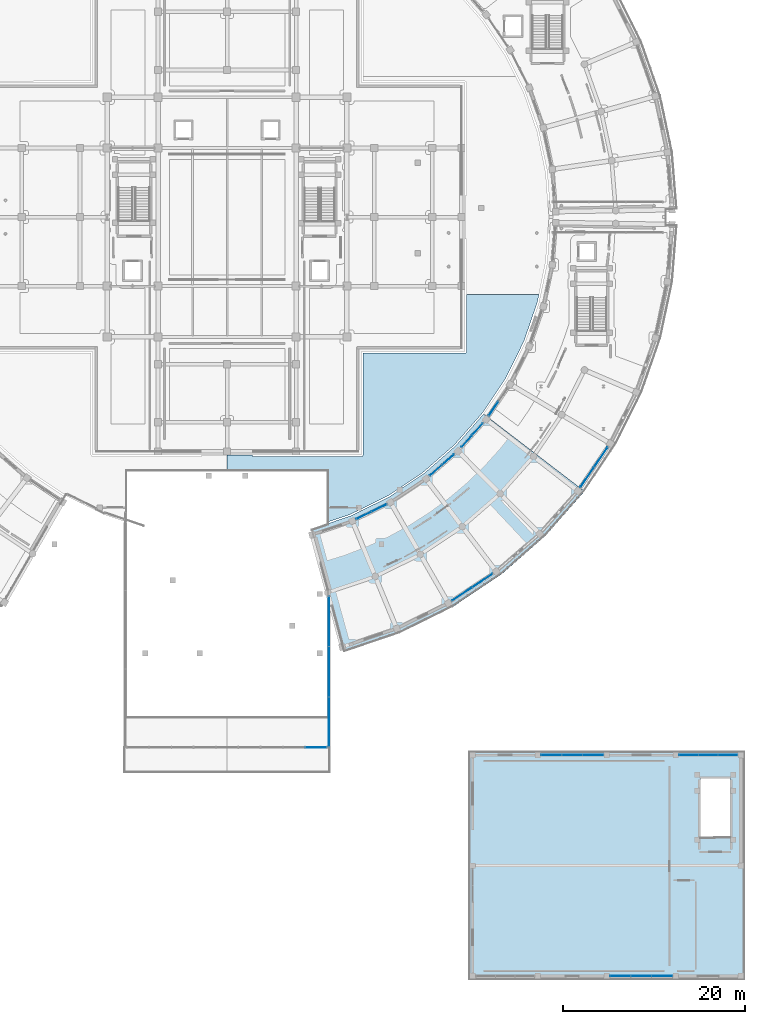
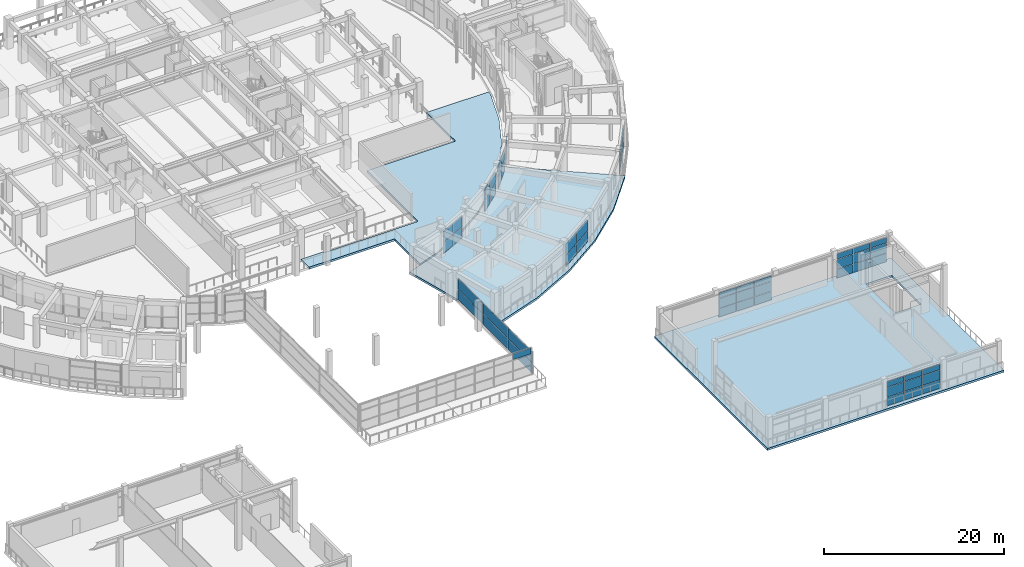
# One storey, part 48 of 87: 56 plates, 3 slabs, 11 elements without a shape of their own.
"""IFC4 building model written with IfcOpenShell, lengths in metres."""

from ifc_helpers import new_model, si_unit, direction, frame, origin, origin_2d, place, context, subcontext, project, spatial, polyline, rectangle, outline, extrude, material, layer, layer_set, type_object, element, aggregate, save


model = new_model("IFC4")

# Units and contexts
model_context = context("Model", 3, precision=1e-05, world=origin(), true_north=direction((0.0, 1.0)))
body_context = subcontext(model_context, "Body", "Model", "MODEL_VIEW")
ifc_project = project(units=[si_unit("LENGTHUNIT", "METRE"), si_unit("AREAUNIT", "SQUARE_METRE"), si_unit("VOLUMEUNIT", "CUBIC_METRE"), si_unit("PLANEANGLEUNIT", "RADIAN"), si_unit("MASSUNIT", "GRAM", prefix="KILO")], contexts=[model_context])

# Site, building, storey
site_placement = place(None, origin())
site = spatial("IfcSite", under=ifc_project, at=site_placement, CompositionType="ELEMENT")
building_placement = place(site_placement, origin())
building = spatial("IfcBuilding", under=site, at=building_placement, Name="Saryqyr Civic Hall", CompositionType="ELEMENT")
storey_placement = place(building_placement, frame((0.0, 0.0, 5.10009765625)))
storey = spatial("IfcBuildingStorey", under=building, at=storey_placement, Name="L01", CompositionType="ELEMENT", Elevation=5.10009765625)

# Curtain wall, plates
ifc_material_1 = material(Name="Anodised aluminium and triple low-E glass", Category="aluminium")
curtain_wall_type_1 = type_object("IfcCurtainWallType", Name="ENV-CW-STD-20", PredefinedType="NOTDEFINED", material=ifc_material_1)
curtain_wall_1_placement = place(storey_placement, origin())
curtain_wall_1 = element("IfcCurtainWall", 1, at=curtain_wall_1_placement, inside=storey, type_object=curtain_wall_type_1, Name="Curtain wall V5-CWI-L01-01", PredefinedType="NOTDEFINED")
ifc_material_2 = material(Name="Triple low-E insulated glazing", Category="glass")
ifc_layer_1 = layer(ifc_material_2, 0.053955078125, Name="Triple low-E insulated glazing")
ifc_layer_set_1 = layer_set([ifc_layer_1], Name="Triple low-E insulated glazing")
plate_type_1 = type_object("IfcPlateType", Name="ENV-CW-PNL-38", PredefinedType="CURTAIN_PANEL", material=ifc_layer_set_1)
plate_1_placement = place(storey_placement, frame((72.0556640625, 51.149169921875, 0.059814453125), z_axis=(0.0, 0.0, 1.0), x_axis=(0.897961027851, 0.440074985043, 0.0)))
plate_1 = element("IfcPlate", 2, at=plate_1_placement, type_object=plate_type_1, Name="CW-20 panel 1.1", PredefinedType="CURTAIN_PANEL", context=body_context, shape_type="SweptSolid", body=[
    extrude(rectangle(XDim=1.813232421875, YDim=0.053955078125, at=origin_2d()), origin(), (0.0, 0.0, 1.0), 1.48193359375),
])
plate_2_placement = place(storey_placement, frame((72.0556640625, 51.149169921875, 1.60205078125), z_axis=(0.0, 0.0, 1.0), x_axis=(0.897961027851, 0.440074985043, 0.0)))
plate_2 = element("IfcPlate", 3, at=plate_2_placement, type_object=plate_type_1, Name="CW-20 panel 1.2", PredefinedType="CURTAIN_PANEL", context=body_context, shape_type="SweptSolid", body=[
    extrude(rectangle(XDim=1.813232421875, YDim=0.053955078125, at=origin_2d()), origin(), (0.0, 0.0, 1.0), 1.48291015625),
])
plate_3_placement = place(storey_placement, frame((73.73779296875, 51.973388671875, 0.059814453125), z_axis=(0.0, 0.0, 1.0), x_axis=(0.897961027851, 0.440074985043, 0.0)))
plate_3 = element("IfcPlate", 4, at=plate_3_placement, type_object=plate_type_1, Name="CW-20 panel 2.1", PredefinedType="CURTAIN_PANEL", context=body_context, shape_type="SweptSolid", body=[
    extrude(rectangle(XDim=1.813232421875, YDim=0.053955078125, at=origin_2d()), origin(), (0.0, 0.0, 1.0), 1.48193359375),
])
plate_4_placement = place(storey_placement, frame((73.73779296875, 51.973388671875, 1.60205078125), z_axis=(0.0, 0.0, 1.0), x_axis=(0.897961027851, 0.440074985043, 0.0)))
plate_4 = element("IfcPlate", 5, at=plate_4_placement, type_object=plate_type_1, Name="CW-20 panel 2.2", PredefinedType="CURTAIN_PANEL", context=body_context, shape_type="SweptSolid", body=[
    extrude(rectangle(XDim=1.813232421875, YDim=0.053955078125, at=origin_2d()), origin(), (0.0, 0.0, 1.0), 1.48291015625),
])
aggregate(curtain_wall_1, [plate_1, plate_2, plate_3, plate_4])

curtain_wall_type_2 = type_object("IfcCurtainWallType", Name="ENV-CW-STD-36", PredefinedType="NOTDEFINED", material=ifc_material_1)
curtain_wall_2_placement = place(storey_placement, origin())
curtain_wall_2 = element("IfcCurtainWall", 6, at=curtain_wall_2_placement, inside=storey, type_object=curtain_wall_type_2, Name="Curtain wall V5-CWO-L01-02", PredefinedType="NOTDEFINED")
plate_5_placement = place(storey_placement, frame((85.10888671875, 43.966796875, 0.059814453125), z_axis=(0.0, 0.0, 1.0), x_axis=(-0.833772163612, -0.552108666103, 0.0)))
plate_5 = element("IfcPlate", 7, at=plate_5_placement, type_object=plate_type_1, Name="CW-36 panel 1.1", PredefinedType="CURTAIN_PANEL", context=body_context, shape_type="SweptSolid", body=[
    extrude(rectangle(XDim=2.6064453125, YDim=0.053955078125, at=origin_2d()), origin(), (0.0, 0.0, 1.0), 1.48193359375),
])
plate_6_placement = place(storey_placement, frame((85.10888671875, 43.966796875, 1.60205078125), z_axis=(0.0, 0.0, 1.0), x_axis=(-0.833772163612, -0.552108666103, 0.0)))
plate_6 = element("IfcPlate", 8, at=plate_6_placement, type_object=plate_type_1, Name="CW-36 panel 1.2", PredefinedType="CURTAIN_PANEL", context=body_context, shape_type="SweptSolid", body=[
    extrude(rectangle(XDim=2.6064453125, YDim=0.053955078125, at=origin_2d()), origin(), (0.0, 0.0, 1.0), 1.48291015625),
])
plate_7_placement = place(storey_placement, frame((82.8857421875, 42.49462890625, 0.059814453125), z_axis=(0.0, 0.0, 1.0), x_axis=(-0.833772163612, -0.552108666103, 0.0)))
plate_7 = element("IfcPlate", 9, at=plate_7_placement, type_object=plate_type_1, Name="CW-36 panel 2.1", PredefinedType="CURTAIN_PANEL", context=body_context, shape_type="SweptSolid", body=[
    extrude(rectangle(XDim=2.6064453125, YDim=0.053955078125, at=origin_2d()), origin(), (0.0, 0.0, 1.0), 1.48193359375),
])
plate_8_placement = place(storey_placement, frame((82.8857421875, 42.49462890625, 1.60205078125), z_axis=(0.0, 0.0, 1.0), x_axis=(-0.833772163612, -0.552108666103, 0.0)))
plate_8 = element("IfcPlate", 10, at=plate_8_placement, type_object=plate_type_1, Name="CW-36 panel 2.2", PredefinedType="CURTAIN_PANEL", context=body_context, shape_type="SweptSolid", body=[
    extrude(rectangle(XDim=2.6064453125, YDim=0.053955078125, at=origin_2d()), origin(), (0.0, 0.0, 1.0), 1.48291015625),
])
aggregate(curtain_wall_2, [plate_5, plate_6, plate_7, plate_8])

curtain_wall_type_3 = type_object("IfcCurtainWallType", Name="ENV-CW-STD-37", PredefinedType="NOTDEFINED", material=ifc_material_1)
curtain_wall_3_placement = place(storey_placement, origin())
curtain_wall_3 = element("IfcCurtainWall", 11, at=curtain_wall_3_placement, inside=storey, type_object=curtain_wall_type_3, Name="Curtain wall V5-CWI-L01-03", PredefinedType="NOTDEFINED")
plate_9_placement = place(storey_placement, frame((79.983642578125, 56.11572265625, 0.059814453125), z_axis=(0.0, 0.0, 1.0), x_axis=(0.755641079995, 0.654985922157, 0.0)))
plate_9 = element("IfcPlate", 12, at=plate_9_placement, type_object=plate_type_1, Name="CW-37 panel 1.1", PredefinedType="CURTAIN_PANEL", context=body_context, shape_type="SweptSolid", body=[
    extrude(rectangle(XDim=1.7314453125, YDim=0.053955078125, at=origin_2d()), origin(), (0.0, 0.0, 1.0), 1.48193359375),
])
plate_10_placement = place(storey_placement, frame((79.983642578125, 56.11572265625, 1.60205078125), z_axis=(0.0, 0.0, 1.0), x_axis=(0.755641079995, 0.654985922157, 0.0)))
plate_10 = element("IfcPlate", 13, at=plate_10_placement, type_object=plate_type_1, Name="CW-37 panel 1.2", PredefinedType="CURTAIN_PANEL", context=body_context, shape_type="SweptSolid", body=[
    extrude(rectangle(XDim=1.7314453125, YDim=0.053955078125, at=origin_2d()), origin(), (0.0, 0.0, 1.0), 1.48291015625),
])
plate_11_placement = place(storey_placement, frame((81.33740234375, 57.2890625, 0.059814453125), z_axis=(0.0, 0.0, 1.0), x_axis=(0.755641079995, 0.654985922157, 0.0)))
plate_11 = element("IfcPlate", 14, at=plate_11_placement, type_object=plate_type_1, Name="CW-37 panel 2.1", PredefinedType="CURTAIN_PANEL", context=body_context, shape_type="SweptSolid", body=[
    extrude(rectangle(XDim=1.7314453125, YDim=0.053955078125, at=origin_2d()), origin(), (0.0, 0.0, 1.0), 1.48193359375),
])
plate_12_placement = place(storey_placement, frame((81.33740234375, 57.2890625, 1.60205078125), z_axis=(0.0, 0.0, 1.0), x_axis=(0.755641079995, 0.654985922157, 0.0)))
plate_12 = element("IfcPlate", 15, at=plate_12_placement, type_object=plate_type_1, Name="CW-37 panel 2.2", PredefinedType="CURTAIN_PANEL", context=body_context, shape_type="SweptSolid", body=[
    extrude(rectangle(XDim=1.7314453125, YDim=0.053955078125, at=origin_2d()), origin(), (0.0, 0.0, 1.0), 1.48291015625),
])
aggregate(curtain_wall_3, [plate_9, plate_10, plate_11, plate_12])

curtain_wall_4_placement = place(storey_placement, origin())
curtain_wall_4 = element("IfcCurtainWall", 16, at=curtain_wall_4_placement, inside=storey, type_object=curtain_wall_type_3, Name="Curtain wall V5-CWI-L01-04", PredefinedType="NOTDEFINED")
plate_13_placement = place(storey_placement, frame((83.3876953125, 59.312744140625, 0.059814453125), z_axis=(0.0, 0.0, 1.0), x_axis=(0.664938004684, 0.746898553973, 0.0)))
plate_13 = element("IfcPlate", 17, at=plate_13_placement, type_object=plate_type_1, Name="CW-37 panel 1.1", PredefinedType="CURTAIN_PANEL", context=body_context, shape_type="SweptSolid", body=[
    extrude(rectangle(XDim=1.7255859375, YDim=0.053955078125, at=origin_2d()), origin(), (0.0, 0.0, 1.0), 1.48193359375),
])
plate_14_placement = place(storey_placement, frame((83.3876953125, 59.312744140625, 1.60205078125), z_axis=(0.0, 0.0, 1.0), x_axis=(0.664938004684, 0.746898553973, 0.0)))
plate_14 = element("IfcPlate", 18, at=plate_14_placement, type_object=plate_type_1, Name="CW-37 panel 1.2", PredefinedType="CURTAIN_PANEL", context=body_context, shape_type="SweptSolid", body=[
    extrude(rectangle(XDim=1.7255859375, YDim=0.053955078125, at=origin_2d()), origin(), (0.0, 0.0, 1.0), 1.48291015625),
])
plate_15_placement = place(storey_placement, frame((84.574951171875, 60.646240234375, 0.059814453125), z_axis=(0.0, 0.0, 1.0), x_axis=(0.664938004684, 0.746898553973, 0.0)))
plate_15 = element("IfcPlate", 19, at=plate_15_placement, type_object=plate_type_1, Name="CW-37 panel 2.1", PredefinedType="CURTAIN_PANEL", context=body_context, shape_type="SweptSolid", body=[
    extrude(rectangle(XDim=1.7255859375, YDim=0.053955078125, at=origin_2d()), origin(), (0.0, 0.0, 1.0), 1.48193359375),
])
plate_16_placement = place(storey_placement, frame((84.574951171875, 60.646240234375, 1.60205078125), z_axis=(0.0, 0.0, 1.0), x_axis=(0.664938004684, 0.746898553973, 0.0)))
plate_16 = element("IfcPlate", 20, at=plate_16_placement, type_object=plate_type_1, Name="CW-37 panel 2.2", PredefinedType="CURTAIN_PANEL", context=body_context, shape_type="SweptSolid", body=[
    extrude(rectangle(XDim=1.7255859375, YDim=0.053955078125, at=origin_2d()), origin(), (0.0, 0.0, 1.0), 1.48291015625),
])
aggregate(curtain_wall_4, [plate_13, plate_14, plate_15, plate_16])

curtain_wall_5_placement = place(storey_placement, origin())
curtain_wall_5 = element("IfcCurtainWall", 21, at=curtain_wall_5_placement, inside=storey, type_object=curtain_wall_type_2, Name="Curtain wall V5-CWO-L01-05", PredefinedType="NOTDEFINED")
plate_17_placement = place(storey_placement, frame((98.1572265625, 57.564208984375, 0.059814453125), z_axis=(0.0, 0.0, 1.0), x_axis=(-0.563110329158, -0.826381726078, 0.0)))
plate_17 = element("IfcPlate", 22, at=plate_17_placement, type_object=plate_type_1, Name="CW-36 panel 1.1", PredefinedType="CURTAIN_PANEL", context=body_context, shape_type="SweptSolid", body=[
    extrude(rectangle(XDim=2.602294921875, YDim=0.053955078125, at=origin_2d()), origin(), (0.0, 0.0, 1.0), 1.48193359375),
])
plate_18_placement = place(storey_placement, frame((98.1572265625, 57.564208984375, 1.60205078125), z_axis=(0.0, 0.0, 1.0), x_axis=(-0.563110329158, -0.826381726078, 0.0)))
plate_18 = element("IfcPlate", 23, at=plate_18_placement, type_object=plate_type_1, Name="CW-36 panel 1.2", PredefinedType="CURTAIN_PANEL", context=body_context, shape_type="SweptSolid", body=[
    extrude(rectangle(XDim=2.602294921875, YDim=0.053955078125, at=origin_2d()), origin(), (0.0, 0.0, 1.0), 1.48291015625),
])
plate_19_placement = place(storey_placement, frame((96.657958984375, 55.3642578125, 0.059814453125), z_axis=(0.0, 0.0, 1.0), x_axis=(-0.563110329158, -0.826381726078, 0.0)))
plate_19 = element("IfcPlate", 24, at=plate_19_placement, type_object=plate_type_1, Name="CW-36 panel 2.1", PredefinedType="CURTAIN_PANEL", context=body_context, shape_type="SweptSolid", body=[
    extrude(rectangle(XDim=2.602294921875, YDim=0.053955078125, at=origin_2d()), origin(), (0.0, 0.0, 1.0), 1.48193359375),
])
plate_20_placement = place(storey_placement, frame((96.657958984375, 55.3642578125, 1.60205078125), z_axis=(0.0, 0.0, 1.0), x_axis=(-0.563110329158, -0.826381726078, 0.0)))
plate_20 = element("IfcPlate", 25, at=plate_20_placement, type_object=plate_type_1, Name="CW-36 panel 2.2", PredefinedType="CURTAIN_PANEL", context=body_context, shape_type="SweptSolid", body=[
    extrude(rectangle(XDim=2.602294921875, YDim=0.053955078125, at=origin_2d()), origin(), (0.0, 0.0, 1.0), 1.48291015625),
])
aggregate(curtain_wall_5, [plate_17, plate_18, plate_19, plate_20])

curtain_wall_type_4 = type_object("IfcCurtainWallType", Name="ENV-CW-STD-18", PredefinedType="NOTDEFINED", material=ifc_material_1)
curtain_wall_6_placement = place(storey_placement, origin())
curtain_wall_6 = element("IfcCurtainWall", 26, at=curtain_wall_6_placement, inside=storey, type_object=curtain_wall_type_4, Name="Curtain wall V5-CWI-L01-05", PredefinedType="NOTDEFINED")
plate_21_placement = place(storey_placement, frame((86.335205078125, 62.898681640625, 0.059814453125), z_axis=(0.0, 0.0, 1.0), x_axis=(0.563119759928, 0.826375299715, 0.0)))
plate_21 = element("IfcPlate", 27, at=plate_21_placement, type_object=plate_type_1, Name="CW-18 panel 1.1", PredefinedType="CURTAIN_PANEL", context=body_context, shape_type="SweptSolid", body=[
    extrude(rectangle(XDim=1.775634765625, YDim=0.053955078125, at=origin_2d()), origin(), (0.0, 0.0, 1.0), 1.48193359375),
])
plate_22_placement = place(storey_placement, frame((86.335205078125, 62.898681640625, 1.60205078125), z_axis=(0.0, 0.0, 1.0), x_axis=(0.563119759928, 0.826375299715, 0.0)))
plate_22 = element("IfcPlate", 28, at=plate_22_placement, type_object=plate_type_1, Name="CW-18 panel 1.2", PredefinedType="CURTAIN_PANEL", context=body_context, shape_type="SweptSolid", body=[
    extrude(rectangle(XDim=1.775634765625, YDim=0.053955078125, at=origin_2d()), origin(), (0.0, 0.0, 1.0), 1.48291015625),
])
aggregate(curtain_wall_6, [plate_21, plate_22])

curtain_wall_type_5 = type_object("IfcCurtainWallType", Name="ENV-CW-STD-61", PredefinedType="NOTDEFINED", material=ifc_material_1)
curtain_wall_7_placement = place(storey_placement, origin())
curtain_wall_7 = element("IfcCurtainWall", 29, at=curtain_wall_7_placement, inside=storey, type_object=curtain_wall_type_5, Name="Curtain wall V7E-CW-L01-0-1", PredefinedType="NOTDEFINED")
plate_23_placement = place(storey_placement, frame((104.8916015625, 0.449951171875, 0.06005859375), z_axis=(0.0, 0.0, 1.0), x_axis=(-1.0, 0.0, 0.0)))
plate_23 = element("IfcPlate", 30, at=plate_23_placement, type_object=plate_type_1, Name="CW-61 panel 1.1", PredefinedType="CURTAIN_PANEL", context=body_context, shape_type="SweptSolid", body=[
    extrude(rectangle(XDim=2.216552734375, YDim=0.053955078125, at=origin_2d()), origin(), (0.0, 0.0, 1.0), 1.135986328125),
])
plate_24_placement = place(storey_placement, frame((104.8916015625, 0.449951171875, 1.255859375), z_axis=(0.0, 0.0, 1.0), x_axis=(-1.0, 0.0, 0.0)))
plate_24 = element("IfcPlate", 31, at=plate_24_placement, type_object=plate_type_1, Name="CW-61 panel 1.2", PredefinedType="CURTAIN_PANEL", context=body_context, shape_type="SweptSolid", body=[
    extrude(rectangle(XDim=2.216552734375, YDim=0.053955078125, at=origin_2d()), origin(), (0.0, 0.0, 1.0), 1.302001953125),
])
plate_25_placement = place(storey_placement, frame((104.8916015625, 0.449951171875, 2.617919921875), z_axis=(0.0, 0.0, 1.0), x_axis=(-1.0, 0.0, 0.0)))
plate_25 = element("IfcPlate", 32, at=plate_25_placement, type_object=plate_type_1, Name="CW-61 panel 1.3", PredefinedType="CURTAIN_PANEL", context=body_context, shape_type="SweptSolid", body=[
    extrude(rectangle(XDim=2.216552734375, YDim=0.053955078125, at=origin_2d()), origin(), (0.0, 0.0, 1.0), 0.72705078125),
])
plate_26_placement = place(storey_placement, frame((102.60009765625, 0.449951171875, 0.06005859375), z_axis=(0.0, 0.0, 1.0), x_axis=(-1.0, 0.0, 0.0)))
plate_26 = element("IfcPlate", 33, at=plate_26_placement, type_object=plate_type_1, Name="CW-61 panel 2.1", PredefinedType="CURTAIN_PANEL", context=body_context, shape_type="SweptSolid", body=[
    extrude(rectangle(XDim=2.24658203125, YDim=0.053955078125, at=origin_2d()), origin(), (0.0, 0.0, 1.0), 1.135986328125),
])
plate_27_placement = place(storey_placement, frame((102.60009765625, 0.449951171875, 1.255859375), z_axis=(0.0, 0.0, 1.0), x_axis=(-1.0, 0.0, 0.0)))
plate_27 = element("IfcPlate", 34, at=plate_27_placement, type_object=plate_type_1, Name="CW-61 panel 2.2", PredefinedType="CURTAIN_PANEL", context=body_context, shape_type="SweptSolid", body=[
    extrude(rectangle(XDim=2.24658203125, YDim=0.053955078125, at=origin_2d()), origin(), (0.0, 0.0, 1.0), 1.302001953125),
])
plate_28_placement = place(storey_placement, frame((102.60009765625, 0.449951171875, 2.617919921875), z_axis=(0.0, 0.0, 1.0), x_axis=(-1.0, 0.0, 0.0)))
plate_28 = element("IfcPlate", 35, at=plate_28_placement, type_object=plate_type_1, Name="CW-61 panel 2.3", PredefinedType="CURTAIN_PANEL", context=body_context, shape_type="SweptSolid", body=[
    extrude(rectangle(XDim=2.24658203125, YDim=0.053955078125, at=origin_2d()), origin(), (0.0, 0.0, 1.0), 0.72705078125),
])
plate_29_placement = place(storey_placement, frame((100.308349609375, 0.449951171875, 0.06005859375), z_axis=(0.0, 0.0, 1.0), x_axis=(-1.0, 0.0, 0.0)))
plate_29 = element("IfcPlate", 36, at=plate_29_placement, type_object=plate_type_1, Name="CW-61 panel 3.1", PredefinedType="CURTAIN_PANEL", context=body_context, shape_type="SweptSolid", body=[
    extrude(rectangle(XDim=2.216552734375, YDim=0.053955078125, at=origin_2d()), origin(), (0.0, 0.0, 1.0), 1.135986328125),
])
plate_30_placement = place(storey_placement, frame((100.308349609375, 0.449951171875, 1.255859375), z_axis=(0.0, 0.0, 1.0), x_axis=(-1.0, 0.0, 0.0)))
plate_30 = element("IfcPlate", 37, at=plate_30_placement, type_object=plate_type_1, Name="CW-61 panel 3.2", PredefinedType="CURTAIN_PANEL", context=body_context, shape_type="SweptSolid", body=[
    extrude(rectangle(XDim=2.216552734375, YDim=0.053955078125, at=origin_2d()), origin(), (0.0, 0.0, 1.0), 1.302001953125),
])
plate_31_placement = place(storey_placement, frame((100.308349609375, 0.449951171875, 2.617919921875), z_axis=(0.0, 0.0, 1.0), x_axis=(-1.0, 0.0, 0.0)))
plate_31 = element("IfcPlate", 38, at=plate_31_placement, type_object=plate_type_1, Name="CW-61 panel 3.3", PredefinedType="CURTAIN_PANEL", context=body_context, shape_type="SweptSolid", body=[
    extrude(rectangle(XDim=2.216552734375, YDim=0.053955078125, at=origin_2d()), origin(), (0.0, 0.0, 1.0), 0.72705078125),
])
aggregate(curtain_wall_7, [plate_23, plate_24, plate_25, plate_26, plate_27, plate_28, plate_29, plate_30, plate_31])

curtain_wall_8_placement = place(storey_placement, origin())
curtain_wall_8 = element("IfcCurtainWall", 39, at=curtain_wall_8_placement, inside=storey, type_object=curtain_wall_type_5, Name="Curtain wall V7E-CW-L01-2-1", PredefinedType="NOTDEFINED")
plate_32_placement = place(storey_placement, frame((92.708251953125, 24.75, 0.06005859375), z_axis=(0.0, 0.0, 1.0), x_axis=(1.0, 0.0, 0.0)))
plate_32 = element("IfcPlate", 40, at=plate_32_placement, type_object=plate_type_1, Name="CW-61 panel 1.1", PredefinedType="CURTAIN_PANEL", context=body_context, shape_type="SweptSolid", body=[
    extrude(rectangle(XDim=2.216552734375, YDim=0.053955078125, at=origin_2d()), origin(), (0.0, 0.0, 1.0), 1.135986328125),
])
plate_33_placement = place(storey_placement, frame((92.708251953125, 24.75, 1.255859375), z_axis=(0.0, 0.0, 1.0), x_axis=(1.0, 0.0, 0.0)))
plate_33 = element("IfcPlate", 41, at=plate_33_placement, type_object=plate_type_1, Name="CW-61 panel 1.2", PredefinedType="CURTAIN_PANEL", context=body_context, shape_type="SweptSolid", body=[
    extrude(rectangle(XDim=2.216552734375, YDim=0.053955078125, at=origin_2d()), origin(), (0.0, 0.0, 1.0), 1.302001953125),
])
plate_34_placement = place(storey_placement, frame((92.708251953125, 24.75, 2.617919921875), z_axis=(0.0, 0.0, 1.0), x_axis=(1.0, 0.0, 0.0)))
plate_34 = element("IfcPlate", 42, at=plate_34_placement, type_object=plate_type_1, Name="CW-61 panel 1.3", PredefinedType="CURTAIN_PANEL", context=body_context, shape_type="SweptSolid", body=[
    extrude(rectangle(XDim=2.216552734375, YDim=0.053955078125, at=origin_2d()), origin(), (0.0, 0.0, 1.0), 0.72705078125),
])
plate_35_placement = place(storey_placement, frame((95.0, 24.75, 0.06005859375), z_axis=(0.0, 0.0, 1.0), x_axis=(1.0, 0.0, 0.0)))
plate_35 = element("IfcPlate", 43, at=plate_35_placement, type_object=plate_type_1, Name="CW-61 panel 2.1", PredefinedType="CURTAIN_PANEL", context=body_context, shape_type="SweptSolid", body=[
    extrude(rectangle(XDim=2.24658203125, YDim=0.053955078125, at=origin_2d()), origin(), (0.0, 0.0, 1.0), 1.135986328125),
])
plate_36_placement = place(storey_placement, frame((95.0, 24.75, 1.255859375), z_axis=(0.0, 0.0, 1.0), x_axis=(1.0, 0.0, 0.0)))
plate_36 = element("IfcPlate", 44, at=plate_36_placement, type_object=plate_type_1, Name="CW-61 panel 2.2", PredefinedType="CURTAIN_PANEL", context=body_context, shape_type="SweptSolid", body=[
    extrude(rectangle(XDim=2.24658203125, YDim=0.053955078125, at=origin_2d()), origin(), (0.0, 0.0, 1.0), 1.302001953125),
])
plate_37_placement = place(storey_placement, frame((95.0, 24.75, 2.617919921875), z_axis=(0.0, 0.0, 1.0), x_axis=(1.0, 0.0, 0.0)))
plate_37 = element("IfcPlate", 45, at=plate_37_placement, type_object=plate_type_1, Name="CW-61 panel 2.3", PredefinedType="CURTAIN_PANEL", context=body_context, shape_type="SweptSolid", body=[
    extrude(rectangle(XDim=2.24658203125, YDim=0.053955078125, at=origin_2d()), origin(), (0.0, 0.0, 1.0), 0.72705078125),
])
plate_38_placement = place(storey_placement, frame((97.291748046875, 24.75, 0.06005859375), z_axis=(0.0, 0.0, 1.0), x_axis=(1.0, 0.0, 0.0)))
plate_38 = element("IfcPlate", 46, at=plate_38_placement, type_object=plate_type_1, Name="CW-61 panel 3.1", PredefinedType="CURTAIN_PANEL", context=body_context, shape_type="SweptSolid", body=[
    extrude(rectangle(XDim=2.216552734375, YDim=0.053955078125, at=origin_2d()), origin(), (0.0, 0.0, 1.0), 1.135986328125),
])
plate_39_placement = place(storey_placement, frame((97.291748046875, 24.75, 1.255859375), z_axis=(0.0, 0.0, 1.0), x_axis=(1.0, 0.0, 0.0)))
plate_39 = element("IfcPlate", 47, at=plate_39_placement, type_object=plate_type_1, Name="CW-61 panel 3.2", PredefinedType="CURTAIN_PANEL", context=body_context, shape_type="SweptSolid", body=[
    extrude(rectangle(XDim=2.216552734375, YDim=0.053955078125, at=origin_2d()), origin(), (0.0, 0.0, 1.0), 1.302001953125),
])
plate_40_placement = place(storey_placement, frame((97.291748046875, 24.75, 2.617919921875), z_axis=(0.0, 0.0, 1.0), x_axis=(1.0, 0.0, 0.0)))
plate_40 = element("IfcPlate", 48, at=plate_40_placement, type_object=plate_type_1, Name="CW-61 panel 3.3", PredefinedType="CURTAIN_PANEL", context=body_context, shape_type="SweptSolid", body=[
    extrude(rectangle(XDim=2.216552734375, YDim=0.053955078125, at=origin_2d()), origin(), (0.0, 0.0, 1.0), 0.72705078125),
])
aggregate(curtain_wall_8, [plate_32, plate_33, plate_34, plate_35, plate_36, plate_37, plate_38, plate_39, plate_40])

curtain_wall_type_6 = type_object("IfcCurtainWallType", Name="ENV-CW-STD-62", PredefinedType="NOTDEFINED", material=ifc_material_1)
curtain_wall_9_placement = place(storey_placement, origin())
curtain_wall_9 = element("IfcCurtainWall", 49, at=curtain_wall_9_placement, inside=storey, type_object=curtain_wall_type_6, Name="Curtain wall V7E-CW-L01-2-3", PredefinedType="NOTDEFINED")
plate_41_placement = place(storey_placement, frame((107.833251953125, 24.75, 0.06005859375), z_axis=(0.0, 0.0, 1.0), x_axis=(1.0, 0.0, 0.0)))
plate_41 = element("IfcPlate", 50, at=plate_41_placement, type_object=plate_type_1, Name="CW-62 panel 1.1", PredefinedType="CURTAIN_PANEL", context=body_context, shape_type="SweptSolid", body=[
    extrude(rectangle(XDim=2.066650390625, YDim=0.053955078125, at=origin_2d()), origin(), (0.0, 0.0, 1.0), 1.135986328125),
])
plate_42_placement = place(storey_placement, frame((107.833251953125, 24.75, 1.255859375), z_axis=(0.0, 0.0, 1.0), x_axis=(1.0, 0.0, 0.0)))
plate_42 = element("IfcPlate", 51, at=plate_42_placement, type_object=plate_type_1, Name="CW-62 panel 1.2", PredefinedType="CURTAIN_PANEL", context=body_context, shape_type="SweptSolid", body=[
    extrude(rectangle(XDim=2.066650390625, YDim=0.053955078125, at=origin_2d()), origin(), (0.0, 0.0, 1.0), 1.302001953125),
])
plate_43_placement = place(storey_placement, frame((107.833251953125, 24.75, 2.617919921875), z_axis=(0.0, 0.0, 1.0), x_axis=(1.0, 0.0, 0.0)))
plate_43 = element("IfcPlate", 52, at=plate_43_placement, type_object=plate_type_1, Name="CW-62 panel 1.3", PredefinedType="CURTAIN_PANEL", context=body_context, shape_type="SweptSolid", body=[
    extrude(rectangle(XDim=2.066650390625, YDim=0.053955078125, at=origin_2d()), origin(), (0.0, 0.0, 1.0), 0.72705078125),
])
plate_44_placement = place(storey_placement, frame((109.97509765625, 24.75, 0.06005859375), z_axis=(0.0, 0.0, 1.0), x_axis=(1.0, 0.0, 0.0)))
plate_44 = element("IfcPlate", 53, at=plate_44_placement, type_object=plate_type_1, Name="CW-62 panel 2.1", PredefinedType="CURTAIN_PANEL", context=body_context, shape_type="SweptSolid", body=[
    extrude(rectangle(XDim=2.0966796875, YDim=0.053955078125, at=origin_2d()), origin(), (0.0, 0.0, 1.0), 1.135986328125),
])
plate_45_placement = place(storey_placement, frame((109.97509765625, 24.75, 1.255859375), z_axis=(0.0, 0.0, 1.0), x_axis=(1.0, 0.0, 0.0)))
plate_45 = element("IfcPlate", 54, at=plate_45_placement, type_object=plate_type_1, Name="CW-62 panel 2.2", PredefinedType="CURTAIN_PANEL", context=body_context, shape_type="SweptSolid", body=[
    extrude(rectangle(XDim=2.0966796875, YDim=0.053955078125, at=origin_2d()), origin(), (0.0, 0.0, 1.0), 1.302001953125),
])
plate_46_placement = place(storey_placement, frame((109.97509765625, 24.75, 2.617919921875), z_axis=(0.0, 0.0, 1.0), x_axis=(1.0, 0.0, 0.0)))
plate_46 = element("IfcPlate", 55, at=plate_46_placement, type_object=plate_type_1, Name="CW-62 panel 2.3", PredefinedType="CURTAIN_PANEL", context=body_context, shape_type="SweptSolid", body=[
    extrude(rectangle(XDim=2.0966796875, YDim=0.053955078125, at=origin_2d()), origin(), (0.0, 0.0, 1.0), 0.72705078125),
])
plate_47_placement = place(storey_placement, frame((112.11669921875, 24.75, 0.06005859375), z_axis=(0.0, 0.0, 1.0), x_axis=(1.0, 0.0, 0.0)))
plate_47 = element("IfcPlate", 56, at=plate_47_placement, type_object=plate_type_1, Name="CW-62 panel 3.1", PredefinedType="CURTAIN_PANEL", context=body_context, shape_type="SweptSolid", body=[
    extrude(rectangle(XDim=2.066650390625, YDim=0.053955078125, at=origin_2d()), origin(), (0.0, 0.0, 1.0), 1.135986328125),
])
plate_48_placement = place(storey_placement, frame((112.11669921875, 24.75, 1.255859375), z_axis=(0.0, 0.0, 1.0), x_axis=(1.0, 0.0, 0.0)))
plate_48 = element("IfcPlate", 57, at=plate_48_placement, type_object=plate_type_1, Name="CW-62 panel 3.2", PredefinedType="CURTAIN_PANEL", context=body_context, shape_type="SweptSolid", body=[
    extrude(rectangle(XDim=2.066650390625, YDim=0.053955078125, at=origin_2d()), origin(), (0.0, 0.0, 1.0), 1.302001953125),
])
plate_49_placement = place(storey_placement, frame((112.11669921875, 24.75, 2.617919921875), z_axis=(0.0, 0.0, 1.0), x_axis=(1.0, 0.0, 0.0)))
plate_49 = element("IfcPlate", 58, at=plate_49_placement, type_object=plate_type_1, Name="CW-62 panel 3.3", PredefinedType="CURTAIN_PANEL", context=body_context, shape_type="SweptSolid", body=[
    extrude(rectangle(XDim=2.066650390625, YDim=0.053955078125, at=origin_2d()), origin(), (0.0, 0.0, 1.0), 0.72705078125),
])
aggregate(curtain_wall_9, [plate_41, plate_42, plate_43, plate_44, plate_45, plate_46, plate_47, plate_48, plate_49])

curtain_wall_type_7 = type_object("IfcCurtainWallType", Name="ENV-CW-STD-71", PredefinedType="NOTDEFINED", material=ifc_material_1)
curtain_wall_10_placement = place(storey_placement, origin())
curtain_wall_10 = element("IfcCurtainWall", 59, at=curtain_wall_10_placement, inside=storey, type_object=curtain_wall_type_7, Name="Curtain wall V2-VESTFLK-SE-L01", PredefinedType="NOTDEFINED")
plate_50_placement = place(storey_placement, frame((68.199951171875, 39.4560546875, 0.06005859375), z_axis=(0.0, 0.0, 1.0), x_axis=(0.0, -1.0, 0.0)))
plate_50 = element("IfcPlate", 60, at=plate_50_placement, type_object=plate_type_1, Name="CW-71 panel 1.1", PredefinedType="CURTAIN_PANEL", context=body_context, shape_type="SweptSolid", body=[
    extrude(rectangle(XDim=5.454345703125, YDim=0.053955078125, at=origin_2d()), origin(), (0.0, 0.0, 1.0), 1.407958984375),
])
plate_51_placement = place(storey_placement, frame((68.199951171875, 39.4560546875, 1.52783203125), z_axis=(0.0, 0.0, 1.0), x_axis=(0.0, -1.0, 0.0)))
plate_51 = element("IfcPlate", 61, at=plate_51_placement, type_object=plate_type_1, Name="CW-71 panel 1.2", PredefinedType="CURTAIN_PANEL", context=body_context, shape_type="SweptSolid", body=[
    extrude(rectangle(XDim=5.454345703125, YDim=0.053955078125, at=origin_2d()), origin(), (0.0, 0.0, 1.0), 1.406982421875),
])
plate_52_placement = place(storey_placement, frame((68.199951171875, 33.9267578125, 0.06005859375), z_axis=(0.0, 0.0, 1.0), x_axis=(0.0, -1.0, 0.0)))
plate_52 = element("IfcPlate", 62, at=plate_52_placement, type_object=plate_type_1, Name="CW-71 panel 2.1", PredefinedType="CURTAIN_PANEL", context=body_context, shape_type="SweptSolid", body=[
    extrude(rectangle(XDim=5.484375, YDim=0.053955078125, at=origin_2d()), origin(), (0.0, 0.0, 1.0), 1.407958984375),
])
plate_53_placement = place(storey_placement, frame((68.199951171875, 33.9267578125, 1.52783203125), z_axis=(0.0, 0.0, 1.0), x_axis=(0.0, -1.0, 0.0)))
plate_53 = element("IfcPlate", 63, at=plate_53_placement, type_object=plate_type_1, Name="CW-71 panel 2.2", PredefinedType="CURTAIN_PANEL", context=body_context, shape_type="SweptSolid", body=[
    extrude(rectangle(XDim=5.484375, YDim=0.053955078125, at=origin_2d()), origin(), (0.0, 0.0, 1.0), 1.406982421875),
])
plate_54_placement = place(storey_placement, frame((68.199951171875, 28.397216796875, 0.06005859375), z_axis=(0.0, 0.0, 1.0), x_axis=(0.0, -1.0, 0.0)))
plate_54 = element("IfcPlate", 64, at=plate_54_placement, type_object=plate_type_1, Name="CW-71 panel 3.1", PredefinedType="CURTAIN_PANEL", context=body_context, shape_type="SweptSolid", body=[
    extrude(rectangle(XDim=5.454345703125, YDim=0.053955078125, at=origin_2d()), origin(), (0.0, 0.0, 1.0), 1.407958984375),
])
plate_55_placement = place(storey_placement, frame((68.199951171875, 28.397216796875, 1.52783203125), z_axis=(0.0, 0.0, 1.0), x_axis=(0.0, -1.0, 0.0)))
plate_55 = element("IfcPlate", 65, at=plate_55_placement, type_object=plate_type_1, Name="CW-71 panel 3.2", PredefinedType="CURTAIN_PANEL", context=body_context, shape_type="SweptSolid", body=[
    extrude(rectangle(XDim=5.454345703125, YDim=0.053955078125, at=origin_2d()), origin(), (0.0, 0.0, 1.0), 1.406982421875),
])
aggregate(curtain_wall_10, [plate_50, plate_51, plate_52, plate_53, plate_54, plate_55])

# Curtain wall, plate
curtain_wall_type_8 = type_object("IfcCurtainWallType", Name="ENV-CW-HVY-69", PredefinedType="NOTDEFINED", material=ifc_material_1)
curtain_wall_11_placement = place(storey_placement, origin())
curtain_wall_11 = element("IfcCurtainWall", 66, at=curtain_wall_11_placement, inside=storey, type_object=curtain_wall_type_8, Name="Curtain wall V2-PORTAL-CW-S-L01-2", PredefinedType="NOTDEFINED")
ifc_material_3 = material(Name="Acoustic laminated low-E glazing", Category="glass")
ifc_layer_2 = layer(ifc_material_3, 0.072021484375, Name="Acoustic laminated low-E glazing")
ifc_layer_set_2 = layer_set([ifc_layer_2], Name="Acoustic laminated low-E glazing")
plate_type_2 = type_object("IfcPlateType", Name="ENV-CW-PNL-52", PredefinedType="CURTAIN_PANEL", material=ifc_layer_set_2)
plate_56_placement = place(storey_placement, frame((66.8046875, 25.610107421875, 2.8466796875), z_axis=(0.0, 0.0, 1.0), x_axis=(-1.0, 0.0, 0.0)))
plate_56 = element("IfcPlate", 67, at=plate_56_placement, type_object=plate_type_2, Name="CW-69 panel 1.3", PredefinedType="CURTAIN_PANEL", context=body_context, shape_type="SweptSolid", body=[
    extrude(rectangle(XDim=2.3505859375, YDim=0.072021484375, at=origin_2d()), origin(), (0.0, 0.0, 1.0), 0.782958984375),
])
aggregate(curtain_wall_11, [plate_56])

# Slabs
ifc_material_4 = material(Name="Concrete C35/45", Category="concrete")
ifc_layer_3 = layer(ifc_material_4, 0.280029296875, Name="Concrete C35/45")
ifc_layer_set_3 = layer_set([ifc_layer_3], Name="Concrete C35/45")
slab_type = type_object("IfcSlabType", Name="STR-SLB-FLR-280", PredefinedType="FLOOR", material=ifc_layer_set_3)
slab_1_placement = place(storey_placement, frame((0.0, 0.0, -0.280029296875)))
element("IfcSlab", 68, at=slab_1_placement, inside=storey, type_object=slab_type, Name="Slab SLB-V5A-L01", PredefinedType="FLOOR", context=body_context, shape_type="SweptSolid", body=[
    extrude(outline(polyline([(70.62353515625, 51.10986328125), (74.800048828125, 53.16943359375), (78.671875, 55.756591796875), (82.173095703125, 58.826904296875), (85.243408203125, 62.328125), (96.350341796875, 53.805419921875), (92.072509765625, 48.927490234375), (87.194580078125, 44.649658203125), (81.800048828125, 41.045166015625), (75.981201171875, 38.175537109375), (69.83740234375, 36.090087890625), (66.214111328125, 49.613037109375), (70.62353515625, 51.10986328125)])), origin(), (0.0, 0.0, 1.0), 0.280029296875),
])
slab_2_placement = place(storey_placement, frame((0.0, 0.0, -0.280029296875)))
element("IfcSlab", 69, at=slab_2_placement, inside=storey, type_object=slab_type, Name="Slab SLB-V7E-L01", PredefinedType="FLOOR", context=body_context, shape_type="SweptSolid", body=[
    extrude(outline(polyline([(83.60009765625, 25.199951171875), (114.0, 25.199951171875), (114.0, 0.0), (83.60009765625, 0.0), (83.60009765625, 25.199951171875)]), holes=[polyline([(112.39990234375, 22.199951171875), (109.10009765625, 22.199951171875), (109.10009765625, 15.75), (112.39990234375, 15.75), (112.39990234375, 22.199951171875)])]), origin(), (0.0, 0.0, 1.0), 0.280029296875),
])
slab_3_placement = place(storey_placement, frame((0.0, 0.0, -0.280029296875)))
element("IfcSlab", 70, at=slab_3_placement, inside=storey, type_object=slab_type, Name="Slab SLB-V2SE-L01-P1", PredefinedType="FLOOR", context=body_context, shape_type="SweptSolid", body=[
    extrude(outline(polyline([(89.689697265625, 70.330810546875), (87.658203125, 66.2294921875), (85.208740234375, 62.563720703125), (85.1162109375, 62.42578125), (82.0595703125, 58.9404296875), (78.57421875, 55.8837890625), (74.7197265625, 53.308349609375), (70.56201171875, 51.258056640625), (68.0, 50.38818359375), (68.0, 56.0), (57.0, 56.0), (57.0, 57.800048828125), (59.800048828125, 57.800048828125), (59.800048828125, 57.639892578125), (71.800048828125, 57.639892578125), (71.888916015625, 57.6669921875), (71.9599609375, 57.800048828125), (71.9599609375, 69.0400390625), (83.275390625, 69.058837890625), (83.3330078125, 69.111083984375), (83.360107421875, 69.199951171875), (83.360107421875, 75.5), (91.352783203125, 75.5), (91.175537109375, 74.66015625), (89.689697265625, 70.330810546875)])), origin(), (0.0, 0.0, 1.0), 0.280029296875),
])

save(model, "model.ifc")
